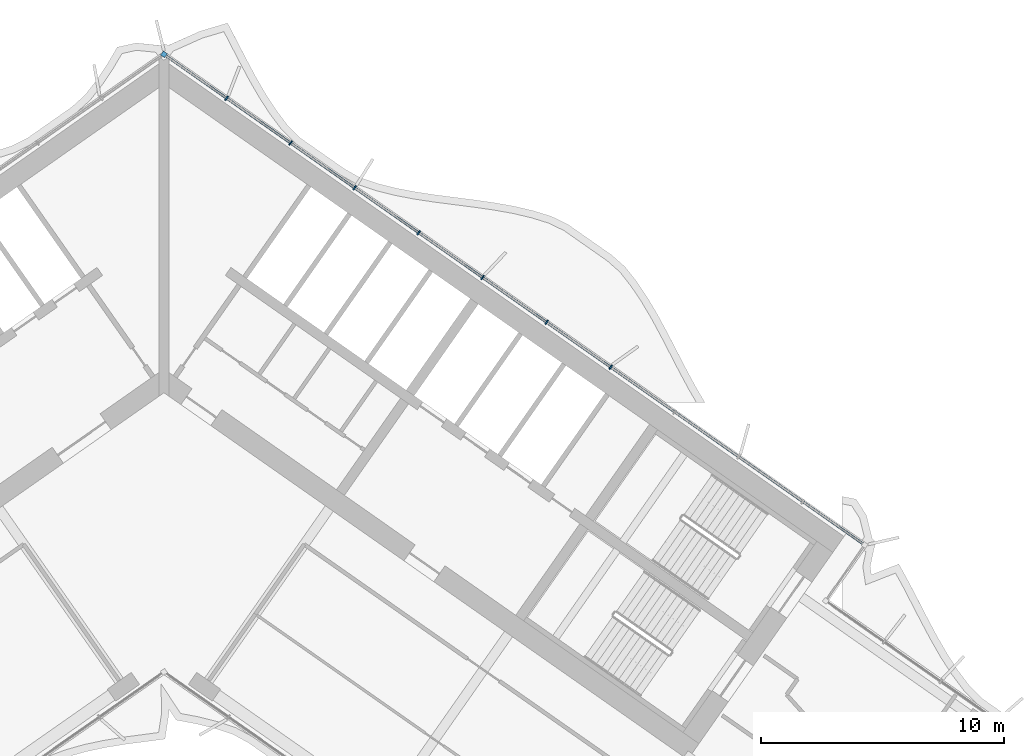
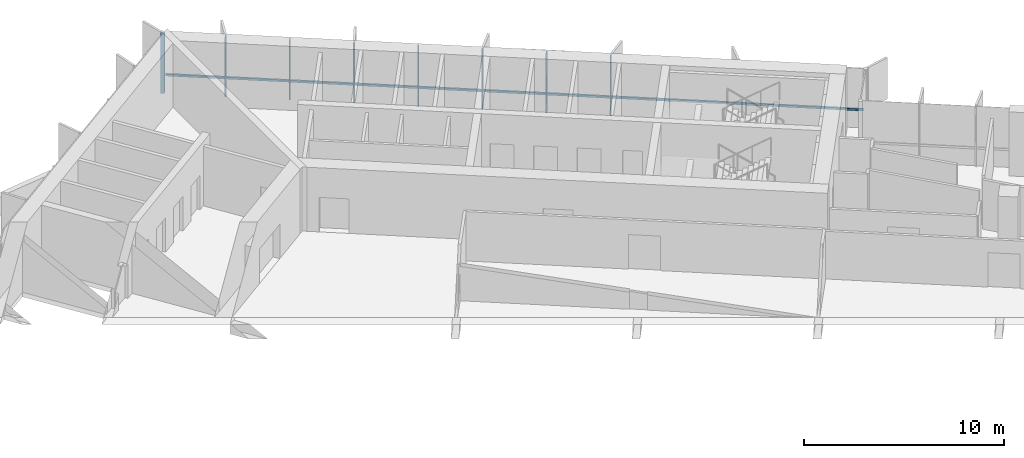
# One storey, part 8 of 22: 9 members, 1 element without a shape of its own.
"""IFC4 building model written with IfcOpenShell, lengths in metres."""

from ifc_helpers import new_model, si_unit, direction, frame, origin, origin_2d, place, context, subcontext, project, spatial, rectangle, extrude, material, material_profile, profile_set, type_object, element, aggregate, save


model = new_model("IFC4")

# Units and contexts
model_context = context("Model", 3, precision=1e-05, world=origin(), true_north=direction((0.0, 1.0)))
body_context = subcontext(model_context, "Body", "Model", "MODEL_VIEW")
ifc_project = project(units=[si_unit("LENGTHUNIT", "METRE"), si_unit("AREAUNIT", "SQUARE_METRE"), si_unit("VOLUMEUNIT", "CUBIC_METRE"), si_unit("PLANEANGLEUNIT", "RADIAN"), si_unit("MASSUNIT", "GRAM", prefix="KILO")], contexts=[model_context])

# Site, building, storey
site_placement = place(None, origin())
site = spatial("IfcSite", under=ifc_project, at=site_placement, CompositionType="ELEMENT")
building_placement = place(site_placement, origin())
building = spatial("IfcBuilding", under=site, at=building_placement, Name="Tel Ilan Convention Tower", CompositionType="ELEMENT")
storey_placement = place(building_placement, frame((0.0, 0.0, 135.89990234375)))
storey = spatial("IfcBuildingStorey", under=building, at=storey_placement, Name="L30", CompositionType="ELEMENT", Elevation=135.89990234375)

# Curtain wall, members
ifc_material_1 = material(Name="Aluminium, bronze anodised", Category="aluminium")
curtain_wall_type = type_object("IfcCurtainWallType", Name="CW2 STICK CURTAIN WALL, SPANDREL PANELS", PredefinedType="NOTDEFINED", material=ifc_material_1)
curtain_wall_placement = place(storey_placement, origin())
curtain_wall = element("IfcCurtainWall", 1, at=curtain_wall_placement, inside=storey, type_object=curtain_wall_type, Name="Curtain wall CW2-24.01", PredefinedType="NOTDEFINED")
ifc_material_2 = material(Name="Aluminium, bronze anodised", Category="aluminium")
ifc_material_profile_1 = material_profile(ifc_material_2, rectangle(XDim=0.199951171875, YDim=0.199951171875, at=origin_2d()), Name="CW CORNER MULLION 200x200")
ifc_profile_set_1 = profile_set([ifc_material_profile_1], Name="Aluminium, bronze anodised")
member_type_1 = type_object("IfcMemberType", Name="CW CORNER MULLION 200x200", PredefinedType="MULLION", material=ifc_profile_set_1)
member_1_placement = place(storey_placement, frame((0.0, 12.696044921875, 0.0), z_axis=(0.0, 0.0, 1.0), x_axis=(-0.819152044289, 0.573576436351, 0.0)))
member_1 = element("IfcMember", 2, at=member_1_placement, type_object=member_type_1, Name="Corner mullion", PredefinedType="MULLION", context=body_context, shape_type="SweptSolid", body=[
    extrude(rectangle(XDim=0.199951171875, YDim=0.199951171875, at=origin_2d()), origin(), (0.0, 0.0, 1.0), 3.6201171875),
])
ifc_material_3 = material(Name="Aluminium, bronze anodised", Category="aluminium")
ifc_material_profile_2 = material_profile(ifc_material_3, rectangle(XDim=0.06005859375, YDim=0.199951171875, at=origin_2d()), Name="CW MULLION 60x200")
ifc_profile_set_2 = profile_set([ifc_material_profile_2], Name="Aluminium, bronze anodised")
member_type_2 = type_object("IfcMemberType", Name="CW MULLION 60x200", PredefinedType="MULLION", material=ifc_profile_set_2)
member_2_placement = place(storey_placement, frame((18.37109375, -0.16748046875, 0.0), z_axis=(0.0, 0.0, 1.0), x_axis=(-0.819152044289, 0.573576436351, 0.0)))
member_2 = element("IfcMember", 3, at=member_2_placement, type_object=member_type_2, Name="Mullion", PredefinedType="MULLION", context=body_context, shape_type="SweptSolid", body=[
    extrude(rectangle(XDim=0.06005859375, YDim=0.199951171875, at=origin_2d()), origin(), (0.0, 0.0, 1.0), 3.6201171875),
])
member_3_placement = place(storey_placement, frame((15.73828125, 1.676025390625, 0.0), z_axis=(0.0, 0.0, 1.0), x_axis=(-0.819152044289, 0.573576436351, 0.0)))
member_3 = element("IfcMember", 4, at=member_3_placement, type_object=member_type_2, Name="Mullion", PredefinedType="MULLION", context=body_context, shape_type="SweptSolid", body=[
    extrude(rectangle(XDim=0.06005859375, YDim=0.199951171875, at=origin_2d()), origin(), (0.0, 0.0, 1.0), 3.6201171875),
])
member_4_placement = place(storey_placement, frame((13.105712890625, 3.519287109375, 0.0), z_axis=(0.0, 0.0, 1.0), x_axis=(-0.819152044289, 0.573576436351, 0.0)))
member_4 = element("IfcMember", 5, at=member_4_placement, type_object=member_type_2, Name="Mullion", PredefinedType="MULLION", context=body_context, shape_type="SweptSolid", body=[
    extrude(rectangle(XDim=0.06005859375, YDim=0.199951171875, at=origin_2d()), origin(), (0.0, 0.0, 1.0), 3.6201171875),
])
member_5_placement = place(storey_placement, frame((10.47314453125, 5.36279296875, 0.0), z_axis=(0.0, 0.0, 1.0), x_axis=(-0.819152044289, 0.573576436351, 0.0)))
member_5 = element("IfcMember", 6, at=member_5_placement, type_object=member_type_2, Name="Mullion", PredefinedType="MULLION", context=body_context, shape_type="SweptSolid", body=[
    extrude(rectangle(XDim=0.06005859375, YDim=0.199951171875, at=origin_2d()), origin(), (0.0, 0.0, 1.0), 3.6201171875),
])
member_6_placement = place(storey_placement, frame((7.840576171875, 7.2060546875, 0.0), z_axis=(0.0, 0.0, 1.0), x_axis=(-0.819152044289, 0.573576436351, 0.0)))
member_6 = element("IfcMember", 7, at=member_6_placement, type_object=member_type_2, Name="Mullion", PredefinedType="MULLION", context=body_context, shape_type="SweptSolid", body=[
    extrude(rectangle(XDim=0.06005859375, YDim=0.199951171875, at=origin_2d()), origin(), (0.0, 0.0, 1.0), 3.6201171875),
])
member_7_placement = place(storey_placement, frame((5.207763671875, 9.049560546875, 0.0), z_axis=(0.0, 0.0, 1.0), x_axis=(-0.819152044289, 0.573576436351, 0.0)))
member_7 = element("IfcMember", 8, at=member_7_placement, type_object=member_type_2, Name="Mullion", PredefinedType="MULLION", context=body_context, shape_type="SweptSolid", body=[
    extrude(rectangle(XDim=0.06005859375, YDim=0.199951171875, at=origin_2d()), origin(), (0.0, 0.0, 1.0), 3.6201171875),
])
member_8_placement = place(storey_placement, frame((2.5751953125, 10.892822265625, 0.0), z_axis=(0.0, 0.0, 1.0), x_axis=(-0.819152044289, 0.573576436351, 0.0)))
member_8 = element("IfcMember", 9, at=member_8_placement, type_object=member_type_2, Name="Mullion", PredefinedType="MULLION", context=body_context, shape_type="SweptSolid", body=[
    extrude(rectangle(XDim=0.06005859375, YDim=0.199951171875, at=origin_2d()), origin(), (0.0, 0.0, 1.0), 3.6201171875),
])
ifc_material_4 = material(Name="Aluminium, bronze anodised", Category="aluminium")
ifc_material_profile_3 = material_profile(ifc_material_4, rectangle(XDim=0.10009765625, YDim=0.1201171875, at=origin_2d()), Name="CW TRANSOM 100x120")
ifc_profile_set_3 = profile_set([ifc_material_profile_3], Name="Aluminium, bronze anodised")
member_type_3 = type_object("IfcMemberType", Name="CW TRANSOM 100x120", PredefinedType="USERDEFINED", material=ifc_profile_set_3)
member_9_placement = place(storey_placement, frame((28.737548828125, -7.42626953125, 1.10009765625), z_axis=(-0.819150201937, 0.573579067494, 0.0), x_axis=(-0.573579067494, -0.819150201937, 0.0)))
member_9 = element("IfcMember", 10, at=member_9_placement, type_object=member_type_3, Name="Transom", ObjectType="TRANSOM", PredefinedType="USERDEFINED", context=body_context, shape_type="SweptSolid", body=[
    extrude(rectangle(XDim=0.10009765625, YDim=0.1201171875, at=origin_2d()), origin(), (0.0, 0.0, 1.0), 34.9521484375),
])
aggregate(curtain_wall, [member_2, member_3, member_4, member_5, member_6, member_7, member_8, member_1, member_9])

save(model, "model.ifc")
